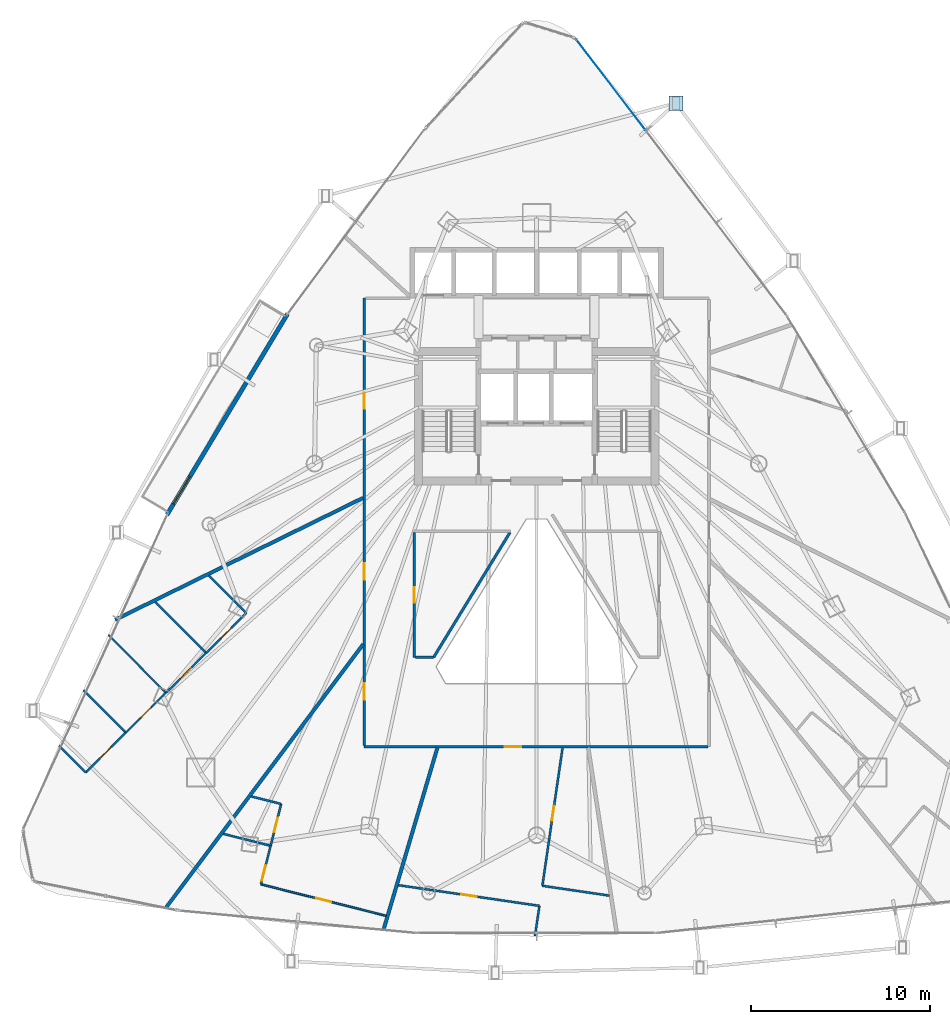
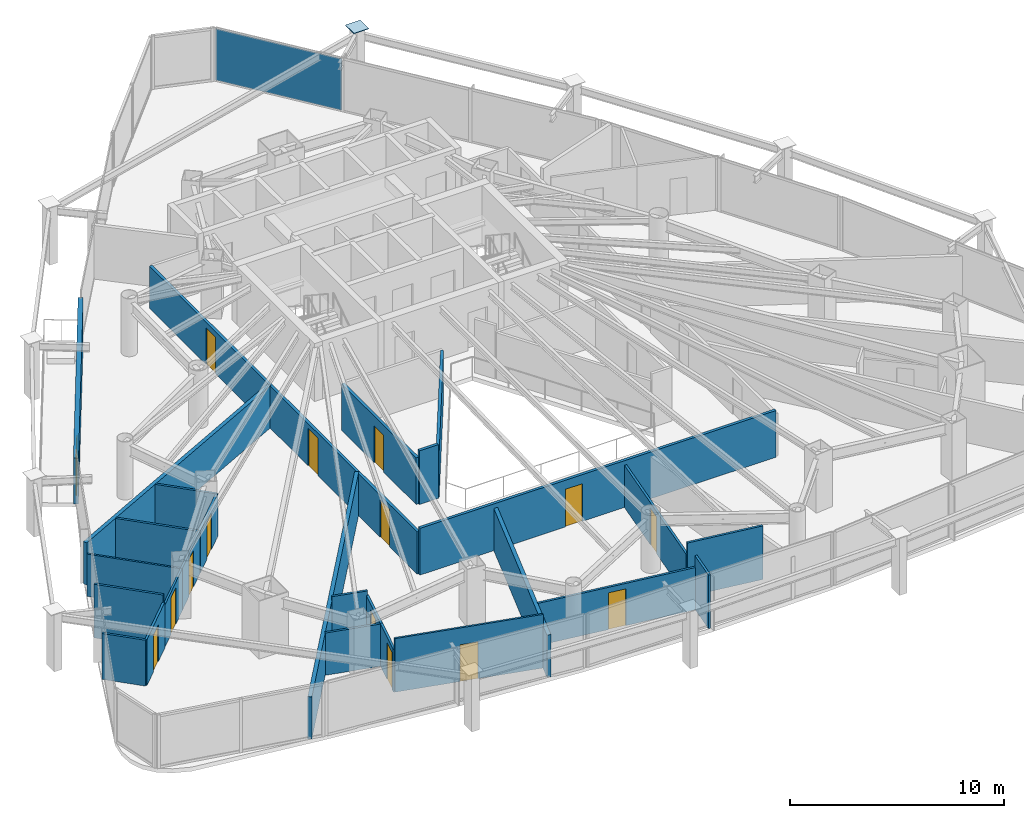
# One storey, part 29 of 35: 27 walls, 15 doors, 2 plates, 15 openings, 1 element without a shape of its own.
"""IFC4 building model written with IfcOpenShell, lengths in metres."""

from ifc_helpers import new_model, si_unit, direction, frame, frame_2d, origin, origin_2d, place, context, subcontext, project, spatial, rectangle, extrude, material, layer, layer_set, type_object, element, fill, aggregate, save


model = new_model("IFC4")

# Units and contexts
model_context = context("Model", 3, precision=1e-05, world=origin(), true_north=direction((0.0, 1.0)))
body_context = subcontext(model_context, "Body", "Model", "MODEL_VIEW")
ifc_project = project(units=[si_unit("LENGTHUNIT", "METRE"), si_unit("AREAUNIT", "SQUARE_METRE"), si_unit("VOLUMEUNIT", "CUBIC_METRE"), si_unit("PLANEANGLEUNIT", "RADIAN"), si_unit("MASSUNIT", "GRAM", prefix="KILO")], contexts=[model_context])

# Site, building, storey
site_placement = place(None, origin())
site = spatial("IfcSite", under=ifc_project, at=site_placement, CompositionType="ELEMENT")
building_placement = place(site_placement, origin())
building = spatial("IfcBuilding", under=site, at=building_placement, Name="Orvanel Arch Residences", CompositionType="ELEMENT")
storey_placement = place(building_placement, frame((0.0, 0.0, 40.10009765625)))
storey = spatial("IfcBuildingStorey", under=building, at=storey_placement, Name="L10", CompositionType="ELEMENT", Elevation=40.10009765625)

# Plate
ifc_material_1 = material(Name="Structural steel AS/NZS 3678 Grade 350", Category="steel")
ifc_layer_1 = layer(ifc_material_1, 0.031982421875)
ifc_layer_set_1 = layer_set([ifc_layer_1], Name="Structural steel AS/NZS 3678 Grade 350")
plate_type_1 = type_object("IfcPlateType", Name="PL-CAP-32", PredefinedType="SHEET", material=ifc_layer_set_1)
plate_1_placement = place(storey_placement, frame((40.794921875, 47.820068359375, 3.28369140625), z_axis=(0.0, 0.0, 1.0), x_axis=(1.0, 0.0, 0.0)))
element("IfcPlate", 1, at=plate_1_placement, inside=storey, type_object=plate_type_1, Name="L10 hollow member end cap plate", PredefinedType="SHEET", context=body_context, shape_type="SweptSolid", body=[
    extrude(rectangle(XDim=0.800048828125, YDim=0.800048828125, at=origin_2d()), origin(), (0.0, 0.0, 1.0), 0.031982421875),
])

# Curtain wall, plate
ifc_material_2 = material(Name="Bronze-anodised aluminium AA6063-T6", Category="aluminium")
ifc_layer_2 = layer(ifc_material_2, 0.179931640625)
ifc_layer_set_2 = layer_set([ifc_layer_2], Name="Bronze-anodised aluminium AA6063-T6")
curtain_wall_type = type_object("IfcCurtainWallType", Name="CW2-LOW-SYS", PredefinedType="NOTDEFINED", material=ifc_layer_set_2)
curtain_wall_placement = place(storey_placement, origin())
curtain_wall = element("IfcCurtainWall", 2, at=curtain_wall_placement, inside=storey, type_object=curtain_wall_type, Name="L10 CW2-LOW-SYS Unitised Curtain Wall", PredefinedType="NOTDEFINED")
ifc_material_3 = material(Name="Double-glazed solar-control low-E safety glass", Category="glass")
ifc_layer_3 = layer(ifc_material_3, 0.028076171875)
ifc_layer_set_3 = layer_set([ifc_layer_3], Name="Double-glazed solar-control low-E safety glass")
plate_type_2 = type_object("IfcPlateType", Name="PNL-GLZ-28", PredefinedType="CURTAIN_PANEL", material=ifc_layer_set_3)
plate_2_placement = place(storey_placement, frame((37.160400390625, 48.84765625, 0.059814453125), z_axis=(0.0, 0.0, 1.0), x_axis=(-0.606016898793, 0.795451769988, 0.0)))
plate_2 = element("IfcPlate", 3, at=plate_2_placement, type_object=plate_type_2, Name="CW-S2 panel 3.1", PredefinedType="CURTAIN_PANEL", context=body_context, shape_type="SweptSolid", body=[
    extrude(rectangle(XDim=6.3828125, YDim=0.028076171875, at=origin_2d()), origin(), (0.0, 0.0, 1.0), 2.93994140625),
])
aggregate(curtain_wall, [plate_2])

# Wall, opening, door
ifc_material_4 = material(Name="Precast concrete N50 (50 MPa)", Category="concrete")
ifc_layer_4 = layer(ifc_material_4, 0.239990234375)
ifc_layer_set_4 = layer_set([ifc_layer_4], Name="Precast concrete N50 (50 MPa)")
wall_type_1 = type_object("IfcWallType", Name="EW-BAL-240", PredefinedType="SOLIDWALL", material=ifc_layer_set_4)
wall_1_placement = place(storey_placement, frame((19.05908203125, 36.028076171875, 0.0), z_axis=(0.0, 0.0, 1.0), x_axis=(-0.514331531946, -0.857591438417, 0.0)))
wall_1 = element("IfcWall", 4, at=wall_1_placement, inside=storey, type_object=wall_type_1, Name="L10 Balcony Threshold Wall Face 1", PredefinedType="SOLIDWALL", context=body_context, shape_type="SweptSolid", body=[
    extrude(rectangle(XDim=13.1181640625, YDim=0.239990234375, at=frame_2d((6.55908203125, 0.0))), origin(), (0.0, 0.0, 1.0), 2.6240234375),
])
opening_1_placement = place(wall_1_placement, frame((10.6201171875, 0.0, 0.0)))
opening_1 = element("IfcOpeningElement", 5, at=opening_1_placement, cuts=wall_1, Name="Opening DB-180", PredefinedType="OPENING", context=body_context, shape_type="SweptSolid", body=[
    extrude(rectangle(XDim=1.800048828125, YDim=2.199951171875, at=frame_2d((0.89990234375, 1.10009765625))), frame((0.0, 0.1298828125, 0.0), z_axis=(0.0, -1.0, 0.0), x_axis=(1.0, 0.0, 0.0)), (0.0, 0.0, 1.0), 0.260009765625),
])
door_type_1 = type_object("IfcDoorType", Name="DR-BAL-1800", OperationType="NOTDEFINED", PredefinedType="DOOR", material=ifc_material_2)
door_1_placement = place(opening_1_placement, origin())
door_1 = element("IfcDoor", 6, at=door_1_placement, inside=storey, type_object=door_type_1, Name="DR-L10-BAL-F1 L10 Planted Balcony Access Door Face 1", OperationType="SINGLE_SWING_RIGHT", OverallHeight=2.199951171875, OverallWidth=1.800048828125, PredefinedType="DOOR", context=body_context, shape_type="SweptSolid", body=[
    extrude(rectangle(XDim=1.800048828125, YDim=2.199951171875, at=frame_2d((0.89990234375, 1.10009765625))), frame((0.0, 0.02490234375, 0.0), z_axis=(0.0, -1.0, 0.0), x_axis=(1.0, 0.0, 0.0)), (0.0, 0.0, 1.0), 0.050048828125),
])
fill(opening_1, door_1)

ifc_material_5 = material(Name="Fire-rated plasterboard lined steel stud partition", Category="steel")
ifc_layer_5 = layer(ifc_material_5, 0.14990234375)
ifc_layer_set_5 = layer_set([ifc_layer_5], Name="Fire-rated plasterboard lined steel stud partition")
wall_type_2 = type_object("IfcWallType", Name="W-COR-150", PredefinedType="PARTITIONING", material=ifc_layer_set_5)
wall_2_placement = place(storey_placement, frame((42.590087890625, 11.800048828125, 0.0), z_axis=(0.0, 0.0, 1.0), x_axis=(-1.0, 0.0, 0.0)))
wall_2 = element("IfcWall", 7, at=wall_2_placement, inside=storey, type_object=wall_type_2, Name="L10 Corridor Fire-Rated Partition", PredefinedType="PARTITIONING", context=body_context, shape_type="SweptSolid", body=[
    extrude(rectangle(XDim=19.239990234375, YDim=0.14990234375, at=frame_2d((9.6201171875, 0.0))), origin(), (0.0, 0.0, 1.0), 2.6689453125),
])
opening_2_placement = place(wall_2_placement, frame((10.4619140625, 0.0, 0.0)))
opening_2 = element("IfcOpeningElement", 8, at=opening_2_placement, cuts=wall_2, Name="Opening DA-092", PredefinedType="OPENING", context=body_context, shape_type="SweptSolid", body=[
    extrude(rectangle(XDim=0.919921875, YDim=2.14990234375, at=frame_2d((0.4599609375, 1.074951171875))), frame((0.0, 0.0849609375, 0.0), z_axis=(0.0, -1.0, 0.0), x_axis=(1.0, 0.0, 0.0)), (0.0, 0.0, 1.0), 0.169921875),
])
ifc_material_6 = material(Name="Solid-core European oak veneer fire door leaf", Category="wood")
door_type_2 = type_object("IfcDoorType", Name="DR-APT-920", OperationType="NOTDEFINED", PredefinedType="DOOR", material=ifc_material_6)
door_2_placement = place(opening_2_placement, origin())
door_2 = element("IfcDoor", 9, at=door_2_placement, inside=storey, type_object=door_type_2, Name="DR-L10-F-ENT L10 Studio F Entrance Door", OperationType="SINGLE_SWING_LEFT", OverallHeight=2.14990234375, OverallWidth=0.919921875, PredefinedType="DOOR", context=body_context, shape_type="SweptSolid", body=[
    extrude(rectangle(XDim=0.919921875, YDim=2.14990234375, at=frame_2d((0.4599609375, 1.074951171875))), frame((0.0, 0.02490234375, 0.0), z_axis=(0.0, -1.0, 0.0), x_axis=(1.0, 0.0, 0.0)), (0.0, 0.0, 1.0), 0.050048828125),
])
fill(opening_2, door_2)

# Wall, openings, doors
wall_3_placement = place(storey_placement, frame((23.35009765625, 11.860107421875, 0.0), z_axis=(0.0, 0.0, 1.0), x_axis=(0.0, 1.0, 0.0)))
wall_3 = element("IfcWall", 10, at=wall_3_placement, inside=storey, type_object=wall_type_2, Name="L10 Corridor Fire-Rated Partition", PredefinedType="PARTITIONING", context=body_context, shape_type="SweptSolid", body=[
    extrude(rectangle(XDim=25.039794921875, YDim=0.14990234375, at=frame_2d((12.52001953125, 0.0))), origin(), (0.0, 0.0, 1.0), 2.412841796875),
])
opening_3_placement = place(wall_3_placement, frame((9.2900390625, 0.0, 0.0)))
opening_3 = element("IfcOpeningElement", 11, at=opening_3_placement, cuts=wall_3, Name="Opening DA-092", PredefinedType="OPENING", context=body_context, shape_type="SweptSolid", body=[
    extrude(rectangle(XDim=0.919921875, YDim=2.14990234375, at=frame_2d((0.4599609375, 1.074951171875))), frame((0.0, 0.0849609375, 0.0), z_axis=(0.0, -1.0, 0.0), x_axis=(1.0, 0.0, 0.0)), (0.0, 0.0, 1.0), 0.169921875),
])
opening_4_placement = place(wall_3_placement, frame((18.864990234375, 0.0, 0.0)))
opening_4 = element("IfcOpeningElement", 12, at=opening_4_placement, cuts=wall_3, Name="Opening DI-088", PredefinedType="OPENING", context=body_context, shape_type="SweptSolid", body=[
    extrude(rectangle(XDim=0.8798828125, YDim=2.10009765625, at=frame_2d((0.43994140625, 1.050048828125))), frame((0.0, 0.0849609375, 0.0), z_axis=(0.0, -1.0, 0.0), x_axis=(1.0, 0.0, 0.0)), (0.0, 0.0, 1.0), 0.169921875),
])
opening_5_placement = place(wall_3_placement, frame((2.56591796875, 0.0, 0.0)))
opening_5 = element("IfcOpeningElement", 13, at=opening_5_placement, cuts=wall_3, Name="Opening DA-092", PredefinedType="OPENING", context=body_context, shape_type="SweptSolid", body=[
    extrude(rectangle(XDim=0.919921875, YDim=2.14990234375, at=frame_2d((0.4599609375, 1.074951171875))), frame((0.0, 0.0849609375, 0.0), z_axis=(0.0, -1.0, 0.0), x_axis=(1.0, 0.0, 0.0)), (0.0, 0.0, 1.0), 0.169921875),
])
door_3_placement = place(opening_3_placement, origin())
door_3 = element("IfcDoor", 14, at=door_3_placement, inside=storey, type_object=door_type_2, Name="DR-L10-A-ENT L10 Flat A Entrance Door", OperationType="SINGLE_SWING_RIGHT", OverallHeight=2.14990234375, OverallWidth=0.919921875, PredefinedType="DOOR", context=body_context, shape_type="SweptSolid", body=[
    extrude(rectangle(XDim=0.919921875, YDim=2.14990234375, at=frame_2d((0.4599609375, 1.074951171875))), frame((0.0, 0.02490234375, 0.0), z_axis=(0.0, -1.0, 0.0), x_axis=(1.0, 0.0, 0.0)), (0.0, 0.0, 1.0), 0.050048828125),
])
fill(opening_3, door_3)
door_4_placement = place(opening_5_placement, origin())
door_4 = element("IfcDoor", 15, at=door_4_placement, inside=storey, type_object=door_type_2, Name="DR-L10-E-ENT L10 Flat E Entrance Door", OperationType="SINGLE_SWING_RIGHT", OverallHeight=2.14990234375, OverallWidth=0.919921875, PredefinedType="DOOR", context=body_context, shape_type="SweptSolid", body=[
    extrude(rectangle(XDim=0.919921875, YDim=2.14990234375, at=frame_2d((0.4599609375, 1.074951171875))), frame((0.0, 0.02490234375, 0.0), z_axis=(0.0, -1.0, 0.0), x_axis=(1.0, 0.0, 0.0)), (0.0, 0.0, 1.0), 0.050048828125),
])
fill(opening_5, door_4)
door_type_3 = type_object("IfcDoorType", Name="DR-INT-880", OperationType="NOTDEFINED", PredefinedType="DOOR", material=ifc_material_6)
door_5_placement = place(opening_4_placement, origin())
door_5 = element("IfcDoor", 16, at=door_5_placement, inside=storey, type_object=door_type_3, Name="DR-L10-SHRD-FB4 L10 Co-Working Study Office D Door", OperationType="SINGLE_SWING_LEFT", OverallHeight=2.10009765625, OverallWidth=0.8798828125, PredefinedType="DOOR", context=body_context, shape_type="SweptSolid", body=[
    extrude(rectangle(XDim=0.8798828125, YDim=2.10009765625, at=frame_2d((0.43994140625, 1.050048828125))), frame((0.0, 0.02490234375, 0.0), z_axis=(0.0, -1.0, 0.0), x_axis=(1.0, 0.0, 0.0)), (0.0, 0.0, 1.0), 0.050048828125),
])
fill(opening_4, door_5)

# Wall, opening, door
wall_4_placement = place(storey_placement, frame((26.14990234375, 23.7900390625, 0.0), z_axis=(0.0, 0.0, 1.0), x_axis=(0.0, -1.0, 0.0)))
wall_4 = element("IfcWall", 17, at=wall_4_placement, inside=storey, type_object=wall_type_2, Name="L10 Corridor Fire-Rated Partition", PredefinedType="PARTITIONING", context=body_context, shape_type="SweptSolid", body=[
    extrude(rectangle(XDim=6.989990234375, YDim=0.14990234375, at=frame_2d((3.4951171875, 0.0))), origin(), (0.0, 0.0, 1.0), 2.6689453125),
])
opening_6_placement = place(wall_4_placement, frame((3.054931640625, 0.0, 0.0)))
opening_6 = element("IfcOpeningElement", 18, at=opening_6_placement, cuts=wall_4, Name="Opening DI-088", PredefinedType="OPENING", context=body_context, shape_type="SweptSolid", body=[
    extrude(rectangle(XDim=0.8798828125, YDim=2.10009765625, at=frame_2d((0.43994140625, 1.050048828125))), frame((0.0, 0.0849609375, 0.0), z_axis=(0.0, -1.0, 0.0), x_axis=(1.0, 0.0, 0.0)), (0.0, 0.0, 1.0), 0.169921875),
])
door_6_placement = place(opening_6_placement, origin())
door_6 = element("IfcDoor", 19, at=door_6_placement, inside=storey, type_object=door_type_3, Name="DR-L10-SHRD-FB10 L10 Co-Working Study Office J Door", OperationType="SINGLE_SWING_LEFT", OverallHeight=2.10009765625, OverallWidth=0.8798828125, PredefinedType="DOOR", context=body_context, shape_type="SweptSolid", body=[
    extrude(rectangle(XDim=0.8798828125, YDim=2.10009765625, at=frame_2d((0.43994140625, 1.050048828125))), frame((0.0, 0.02490234375, 0.0), z_axis=(0.0, -1.0, 0.0), x_axis=(1.0, 0.0, 0.0)), (0.0, 0.0, 1.0), 0.050048828125),
])
fill(opening_6, door_6)

# Walls
wall_5_placement = place(storey_placement, frame((26.2099609375, 16.800048828125, 0.0), z_axis=(0.0, 0.0, 1.0), x_axis=(1.0, 0.0, 0.0)))
element("IfcWall", 20, at=wall_5_placement, inside=storey, type_object=wall_type_2, Name="L10 Corridor Fire-Rated Partition", PredefinedType="PARTITIONING", context=body_context, shape_type="SweptSolid", body=[
    extrude(rectangle(XDim=1.026123046875, YDim=0.14990234375, at=frame_2d((0.51318359375, 0.0))), origin(), (0.0, 0.0, 1.0), 3.059814453125),
])
wall_6_placement = place(storey_placement, frame((27.236083984375, 16.801025390625, 0.0), z_axis=(0.0, 0.0, 1.0), x_axis=(0.521617567684, 0.853179414358, 0.0)))
element("IfcWall", 21, at=wall_6_placement, inside=storey, type_object=wall_type_2, Name="L10 Atrium Overlook Glazed Partition", PredefinedType="PARTITIONING", context=body_context, shape_type="SweptSolid", body=[
    extrude(rectangle(XDim=8.191650390625, YDim=0.14990234375, at=frame_2d((4.095703125, 0.0))), origin(), (0.0, 0.0, 1.0), 2.6689453125),
])
ifc_layer_6 = layer(ifc_material_5, 0.199951171875)
ifc_layer_set_6 = layer_set([ifc_layer_6], Name="Fire-rated plasterboard lined steel stud partition")
wall_type_3 = type_object("IfcWallType", Name="W-DEM-200", PredefinedType="PARTITIONING", material=ifc_layer_set_6)
wall_7_placement = place(storey_placement, frame((9.409912109375, 18.90087890625, 0.0), z_axis=(0.0, 0.0, 1.0), x_axis=(0.89737804177, 0.44126256373, 0.0)))
element("IfcWall", 22, at=wall_7_placement, inside=storey, type_object=wall_type_3, Name="L10 Inter-Tenancy Acoustic Demising Wall", PredefinedType="PARTITIONING", context=body_context, shape_type="SweptSolid", body=[
    extrude(rectangle(XDim=15.467529296875, YDim=0.199951171875, at=frame_2d((7.73388671875, 0.0))), origin(), (0.0, 0.0, 1.0), 2.412841796875),
])
wall_8_placement = place(storey_placement, frame((23.2900390625, 17.531005859375, 0.0), z_axis=(0.0, 0.0, 1.0), x_axis=(-0.599334217596, -0.800498904196, 0.0)))
element("IfcWall", 23, at=wall_8_placement, inside=storey, type_object=wall_type_3, Name="L10 Inter-Tenancy Acoustic Demising Wall", PredefinedType="PARTITIONING", context=body_context, shape_type="SweptSolid", body=[
    extrude(rectangle(XDim=18.4873046875, YDim=0.199951171875, at=frame_2d((9.24365234375, 0.0))), origin(), (0.0, 0.0, 1.0), 2.412841796875),
])
wall_9_placement = place(storey_placement, frame((27.447021484375, 11.739990234375, 0.0), z_axis=(0.0, 0.0, 1.0), x_axis=(-0.283867721737, -0.958863450422, 0.0)))
element("IfcWall", 24, at=wall_9_placement, inside=storey, type_object=wall_type_3, Name="L10 Inter-Tenancy Acoustic Demising Wall", PredefinedType="PARTITIONING", context=body_context, shape_type="SweptSolid", body=[
    extrude(rectangle(XDim=10.663818359375, YDim=0.199951171875, at=frame_2d((5.33203125, 0.0))), origin(), (0.0, 0.0, 1.0), 2.412841796875),
])

# Wall, opening, door
ifc_material_7 = material(Name="Acoustic plasterboard lined twin-stud partition", Category="gypsum")
ifc_layer_7 = layer(ifc_material_7, 0.10009765625)
ifc_layer_set_7 = layer_set([ifc_layer_7], Name="Acoustic plasterboard lined twin-stud partition")
wall_type_4 = type_object("IfcWallType", Name="W-INT-100", PredefinedType="PARTITIONING", material=ifc_layer_set_7)
wall_10_placement = place(storey_placement, frame((10.0009765625, 12.5810546875, 0.0), z_axis=(0.0, 0.0, 1.0), x_axis=(0.70979961262, 0.70440365553, 0.0)))
wall_10 = element("IfcWall", 25, at=wall_10_placement, inside=storey, type_object=wall_type_4, Name="L10 Flat A Internal Partition", PredefinedType="PARTITIONING", context=body_context, shape_type="SweptSolid", body=[
    extrude(rectangle(XDim=3.167236328125, YDim=0.10009765625, at=frame_2d((1.58349609375, 0.0))), origin(), (0.0, 0.0, 1.0), 2.412841796875),
])
opening_7_placement = place(wall_10_placement, frame((1.14404296875, 0.0, 0.0)))
opening_7 = element("IfcOpeningElement", 26, at=opening_7_placement, cuts=wall_10, Name="Opening DI-088", PredefinedType="OPENING", context=body_context, shape_type="SweptSolid", body=[
    extrude(rectangle(XDim=0.8798828125, YDim=2.10009765625, at=frame_2d((0.43994140625, 1.050048828125))), frame((0.0, 0.06005859375, 0.0), z_axis=(0.0, -1.0, 0.0), x_axis=(1.0, 0.0, 0.0)), (0.0, 0.0, 1.0), 0.1201171875),
])
door_7_placement = place(opening_7_placement, origin())
door_7 = element("IfcDoor", 27, at=door_7_placement, inside=storey, type_object=door_type_3, Name="DR-L10-A-BED1 L10 Flat A Bedroom 1 Door", OperationType="SINGLE_SWING_LEFT", OverallHeight=2.10009765625, OverallWidth=0.8798828125, PredefinedType="DOOR", context=body_context, shape_type="SweptSolid", body=[
    extrude(rectangle(XDim=0.8798828125, YDim=2.10009765625, at=frame_2d((0.43994140625, 1.050048828125))), frame((0.0, 0.02490234375, 0.0), z_axis=(0.0, -1.0, 0.0), x_axis=(1.0, 0.0, 0.0)), (0.0, 0.0, 1.0), 0.050048828125),
])
fill(opening_7, door_7)

wall_11_placement = place(storey_placement, frame((12.2490234375, 14.81201171875, 0.0), z_axis=(0.0, 0.0, 1.0), x_axis=(0.70979961262, 0.70440365553, 0.0)))
wall_11 = element("IfcWall", 28, at=wall_11_placement, inside=storey, type_object=wall_type_4, Name="L10 Flat A Internal Partition", PredefinedType="PARTITIONING", context=body_context, shape_type="SweptSolid", body=[
    extrude(rectangle(XDim=3.167236328125, YDim=0.10009765625, at=frame_2d((1.58349609375, 0.0))), origin(), (0.0, 0.0, 1.0), 2.412841796875),
])
opening_8_placement = place(wall_11_placement, frame((1.14404296875, 0.0, 0.0)))
opening_8 = element("IfcOpeningElement", 29, at=opening_8_placement, cuts=wall_11, Name="Opening DI-088", PredefinedType="OPENING", context=body_context, shape_type="SweptSolid", body=[
    extrude(rectangle(XDim=0.8798828125, YDim=2.10009765625, at=frame_2d((0.43994140625, 1.050048828125))), frame((0.0, 0.06005859375, 0.0), z_axis=(0.0, -1.0, 0.0), x_axis=(1.0, 0.0, 0.0)), (0.0, 0.0, 1.0), 0.1201171875),
])
door_8_placement = place(opening_8_placement, origin())
door_8 = element("IfcDoor", 30, at=door_8_placement, inside=storey, type_object=door_type_3, Name="DR-L10-A-OFC2 L10 Flat A Home Work Office 1 Door", OperationType="SINGLE_SWING_LEFT", OverallHeight=2.10009765625, OverallWidth=0.8798828125, PredefinedType="DOOR", context=body_context, shape_type="SweptSolid", body=[
    extrude(rectangle(XDim=0.8798828125, YDim=2.10009765625, at=frame_2d((0.43994140625, 1.050048828125))), frame((0.0, 0.02490234375, 0.0), z_axis=(0.0, -1.0, 0.0), x_axis=(1.0, 0.0, 0.0)), (0.0, 0.0, 1.0), 0.050048828125),
])
fill(opening_8, door_8)

# Wall
wall_12_placement = place(storey_placement, frame((9.032958984375, 18.052978515625, 0.0), z_axis=(0.0, 0.0, 1.0), x_axis=(0.704374497722, -0.709828547579, 0.0)))
element("IfcWall", 31, at=wall_12_placement, inside=storey, type_object=wall_type_4, Name="L10 Flat A Internal Partition", PredefinedType="PARTITIONING", context=body_context, shape_type="SweptSolid", body=[
    extrude(rectangle(XDim=4.56591796875, YDim=0.10009765625, at=frame_2d((2.282958984375, 0.0))), origin(), (0.0, 0.0, 1.0), 2.412841796875),
])

# Wall, opening, door
wall_13_placement = place(storey_placement, frame((24.573974609375, 2.333984375, 0.0), z_axis=(0.0, 0.0, 1.0), x_axis=(-0.9698235368, 0.243807931512, 0.0)))
wall_13 = element("IfcWall", 32, at=wall_13_placement, inside=storey, type_object=wall_type_4, Name="L10 Flat E Internal Partition", PredefinedType="PARTITIONING", context=body_context, shape_type="SweptSolid", body=[
    extrude(rectangle(XDim=7.222900390625, YDim=0.10009765625, at=frame_2d((3.611328125, 0.0))), origin(), (0.0, 0.0, 1.0), 3.059814453125),
])
opening_9_placement = place(wall_13_placement, frame((3.1708984375, 0.0, 0.0)))
opening_9 = element("IfcOpeningElement", 33, at=opening_9_placement, cuts=wall_13, Name="Opening DI-088", PredefinedType="OPENING", context=body_context, shape_type="SweptSolid", body=[
    extrude(rectangle(XDim=0.8798828125, YDim=2.10009765625, at=frame_2d((0.43994140625, 1.050048828125))), frame((0.0, 0.06005859375, 0.0), z_axis=(0.0, -1.0, 0.0), x_axis=(1.0, 0.0, 0.0)), (0.0, 0.0, 1.0), 0.1201171875),
])
door_9_placement = place(opening_9_placement, origin())
door_9 = element("IfcDoor", 34, at=door_9_placement, inside=storey, type_object=door_type_3, Name="DR-L10-E-BED1 L10 Flat E Bedroom 1 Door", OperationType="SINGLE_SWING_LEFT", OverallHeight=2.10009765625, OverallWidth=0.8798828125, PredefinedType="DOOR", context=body_context, shape_type="SweptSolid", body=[
    extrude(rectangle(XDim=0.8798828125, YDim=2.10009765625, at=frame_2d((0.43994140625, 1.050048828125))), frame((0.0, 0.02490234375, 0.0), z_axis=(0.0, -1.0, 0.0), x_axis=(1.0, 0.0, 0.0)), (0.0, 0.0, 1.0), 0.050048828125),
])
fill(opening_9, door_9)

ifc_layer_8 = layer(ifc_material_7, 0.1201171875)
ifc_layer_set_8 = layer_set([ifc_layer_8], Name="Acoustic plasterboard lined twin-stud partition")
wall_type_5 = type_object("IfcWallType", Name="W-WET-120", PredefinedType="PARTITIONING", material=ifc_layer_set_8)
wall_14_placement = place(storey_placement, frame((14.4970703125, 17.04296875, 0.0), z_axis=(0.0, 0.0, 1.0), x_axis=(0.709608291954, 0.704596389425, 0.0)))
wall_14 = element("IfcWall", 35, at=wall_14_placement, inside=storey, type_object=wall_type_5, Name="L10 Flat A Bathroom Partition", PredefinedType="PARTITIONING", context=body_context, shape_type="SweptSolid", body=[
    extrude(rectangle(XDim=3.166259765625, YDim=0.1201171875, at=frame_2d((1.5830078125, 0.0))), origin(), (0.0, 0.0, 1.0), 2.412841796875),
])
opening_10_placement = place(wall_14_placement, frame((1.173095703125, 0.0, 0.0)))
opening_10 = element("IfcOpeningElement", 36, at=opening_10_placement, cuts=wall_14, Name="Opening DW-082", PredefinedType="OPENING", context=body_context, shape_type="SweptSolid", body=[
    extrude(rectangle(XDim=0.820068359375, YDim=2.10009765625, at=frame_2d((0.41015625, 1.050048828125))), frame((0.0, 0.070068359375, 0.0), z_axis=(0.0, -1.0, 0.0), x_axis=(1.0, 0.0, 0.0)), (0.0, 0.0, 1.0), 0.14013671875),
])
door_type_4 = type_object("IfcDoorType", Name="DR-WET-820", OperationType="NOTDEFINED", PredefinedType="DOOR", material=ifc_material_6)
door_10_placement = place(opening_10_placement, origin())
door_10 = element("IfcDoor", 37, at=door_10_placement, inside=storey, type_object=door_type_4, Name="DR-L10-A-BATH L10 Flat A Bathroom Door", OperationType="SINGLE_SWING_RIGHT", OverallHeight=2.10009765625, OverallWidth=0.820068359375, PredefinedType="DOOR", context=body_context, shape_type="SweptSolid", body=[
    extrude(rectangle(XDim=0.820068359375, YDim=2.10009765625, at=frame_2d((0.41015625, 1.050048828125))), frame((0.0, 0.02490234375, 0.0), z_axis=(0.0, -1.0, 0.0), x_axis=(1.0, 0.0, 0.0)), (0.0, 0.0, 1.0), 0.050048828125),
])
fill(opening_10, door_10)

# Walls
wall_15_placement = place(storey_placement, frame((16.743896484375, 19.27392578125, 0.0), z_axis=(0.0, 0.0, 1.0), x_axis=(-0.704390177625, 0.709812987811, 0.0)))
element("IfcWall", 38, at=wall_15_placement, inside=storey, type_object=wall_type_5, Name="L10 Flat A Bathroom Partition", PredefinedType="PARTITIONING", context=body_context, shape_type="SweptSolid", body=[
    extrude(rectangle(XDim=2.971435546875, YDim=0.1201171875, at=frame_2d((1.48583984375, 0.0))), origin(), (0.0, 0.0, 1.0), 2.412841796875),
])
wall_16_placement = place(storey_placement, frame((6.264892578125, 11.84912109375, 0.0), z_axis=(0.0, 0.0, 1.0), x_axis=(0.7047325022, -0.709473114602, 0.0)))
element("IfcWall", 39, at=wall_16_placement, inside=storey, type_object=wall_type_5, Name="L10 Flat A Internal Partition", PredefinedType="PARTITIONING", context=body_context, shape_type="SweptSolid", body=[
    extrude(rectangle(XDim=2.111572265625, YDim=0.1201171875, at=frame_2d((1.0556640625, 0.0))), origin(), (0.0, 0.0, 1.0), 2.618896484375),
])

# Wall, opening, door
wall_17_placement = place(storey_placement, frame((7.7529296875, 10.35107421875, 0.0), z_axis=(0.0, 0.0, 1.0), x_axis=(0.709953794815, 0.704248258236, 0.0)))
wall_17 = element("IfcWall", 40, at=wall_17_placement, inside=storey, type_object=wall_type_5, Name="L10 Flat A Internal Partition", PredefinedType="PARTITIONING", context=body_context, shape_type="SweptSolid", body=[
    extrude(rectangle(XDim=3.16650390625, YDim=0.1201171875, at=frame_2d((1.583251953125, 0.0))), origin(), (0.0, 0.0, 1.0), 2.618896484375),
])
opening_11_placement = place(wall_17_placement, frame((1.14306640625, 0.0, 0.0)))
opening_11 = element("IfcOpeningElement", 41, at=opening_11_placement, cuts=wall_17, Name="Opening DI-088", PredefinedType="OPENING", context=body_context, shape_type="SweptSolid", body=[
    extrude(rectangle(XDim=0.8798828125, YDim=2.10009765625, at=frame_2d((0.43994140625, 1.050048828125))), frame((0.0, 0.070068359375, 0.0), z_axis=(0.0, -1.0, 0.0), x_axis=(1.0, 0.0, 0.0)), (0.0, 0.0, 1.0), 0.14013671875),
])
door_11_placement = place(opening_11_placement, origin())
door_11 = element("IfcDoor", 42, at=door_11_placement, inside=storey, type_object=door_type_3, Name="DR-L10-A-KIT L10 Flat A Kitchen Door", OperationType="SINGLE_SWING_LEFT", OverallHeight=2.10009765625, OverallWidth=0.8798828125, PredefinedType="DOOR", context=body_context, shape_type="SweptSolid", body=[
    extrude(rectangle(XDim=0.8798828125, YDim=2.10009765625, at=frame_2d((0.43994140625, 1.050048828125))), frame((0.0, 0.02490234375, 0.0), z_axis=(0.0, -1.0, 0.0), x_axis=(1.0, 0.0, 0.0)), (0.0, 0.0, 1.0), 0.050048828125),
])
fill(opening_11, door_11)

# Walls
wall_18_placement = place(storey_placement, frame((14.4970703125, 17.04296875, 0.0), z_axis=(0.0, 0.0, 1.0), x_axis=(-0.704380529073, 0.70982256252, 0.0)))
element("IfcWall", 43, at=wall_18_placement, inside=storey, type_object=wall_type_5, Name="L10 Flat A Bathroom Partition", PredefinedType="PARTITIONING", context=body_context, shape_type="SweptSolid", body=[
    extrude(rectangle(XDim=4.03759765625, YDim=0.1201171875, at=frame_2d((2.018798828125, 0.0))), origin(), (0.0, 0.0, 1.0), 2.412841796875),
])
wall_19_placement = place(storey_placement, frame((7.637939453125, 14.9619140625, 0.0), z_axis=(0.0, 0.0, 1.0), x_axis=(0.704445292194, -0.709758290058, 0.0)))
element("IfcWall", 44, at=wall_19_placement, inside=storey, type_object=wall_type_5, Name="L10 Flat A Internal Partition", PredefinedType="PARTITIONING", context=body_context, shape_type="SweptSolid", body=[
    extrude(rectangle(XDim=3.3544921875, YDim=0.1201171875, at=frame_2d((1.67724609375, 0.0))), origin(), (0.0, 0.0, 1.0), 3.059814453125),
])

# Wall, opening, door
wall_20_placement = place(storey_placement, frame((18.112060546875, 6.2529296875, 0.0), z_axis=(0.0, 0.0, 1.0), x_axis=(0.2437501366, 0.96983806427, 0.0)))
wall_20 = element("IfcWall", 45, at=wall_20_placement, inside=storey, type_object=wall_type_5, Name="L10 Flat E Bathroom Partition", PredefinedType="PARTITIONING", context=body_context, shape_type="SweptSolid", body=[
    extrude(rectangle(XDim=2.411865234375, YDim=0.1201171875, at=frame_2d((1.2060546875, 0.0))), origin(), (0.0, 0.0, 1.0), 2.412841796875),
])
opening_12_placement = place(wall_20_placement, frame((0.7958984375, 0.0, 0.0)))
opening_12 = element("IfcOpeningElement", 46, at=opening_12_placement, cuts=wall_20, Name="Opening DW-082", PredefinedType="OPENING", context=body_context, shape_type="SweptSolid", body=[
    extrude(rectangle(XDim=0.820068359375, YDim=2.10009765625, at=frame_2d((0.41015625, 1.050048828125))), frame((0.0, 0.070068359375, 0.0), z_axis=(0.0, -1.0, 0.0), x_axis=(1.0, 0.0, 0.0)), (0.0, 0.0, 1.0), 0.14013671875),
])
door_12_placement = place(opening_12_placement, origin())
door_12 = element("IfcDoor", 47, at=door_12_placement, inside=storey, type_object=door_type_4, Name="DR-L10-E-BATH L10 Flat E Bathroom Door", OperationType="SINGLE_SWING_RIGHT", OverallHeight=2.10009765625, OverallWidth=0.820068359375, PredefinedType="DOOR", context=body_context, shape_type="SweptSolid", body=[
    extrude(rectangle(XDim=0.820068359375, YDim=2.10009765625, at=frame_2d((0.41015625, 1.050048828125))), frame((0.0, 0.02490234375, 0.0), z_axis=(0.0, -1.0, 0.0), x_axis=(1.0, 0.0, 0.0)), (0.0, 0.0, 1.0), 0.050048828125),
])
fill(opening_12, door_12)

# Wall
wall_21_placement = place(storey_placement, frame((18.699951171875, 8.592041015625, 0.0), z_axis=(0.0, 0.0, 1.0), x_axis=(-0.969751613308, 0.244093851802, 0.0)))
element("IfcWall", 48, at=wall_21_placement, inside=storey, type_object=wall_type_5, Name="L10 Flat E Bathroom Partition", PredefinedType="PARTITIONING", context=body_context, shape_type="SweptSolid", body=[
    extrude(rectangle(XDim=1.732421875, YDim=0.1201171875, at=frame_2d((0.8662109375, 0.0))), origin(), (0.0, 0.0, 1.0), 2.6689453125),
])

# Wall, opening, door
wall_22_placement = place(storey_placement, frame((17.569091796875, 4.094970703125, 0.0), z_axis=(0.0, 0.0, 1.0), x_axis=(0.244006821807, 0.969773515266, 0.0)))
wall_22 = element("IfcWall", 49, at=wall_22_placement, inside=storey, type_object=wall_type_5, Name="L10 Flat E Internal Partition", PredefinedType="PARTITIONING", context=body_context, shape_type="SweptSolid", body=[
    extrude(rectangle(XDim=2.22509765625, YDim=0.1201171875, at=frame_2d((1.112548828125, 0.0))), origin(), (0.0, 0.0, 1.0), 2.412841796875),
])
opening_13_placement = place(wall_22_placement, frame((0.199951171875, 0.0, 0.0)))
opening_13 = element("IfcOpeningElement", 50, at=opening_13_placement, cuts=wall_22, Name="Opening DI-088", PredefinedType="OPENING", context=body_context, shape_type="SweptSolid", body=[
    extrude(rectangle(XDim=0.8798828125, YDim=2.10009765625, at=frame_2d((0.43994140625, 1.050048828125))), frame((0.0, 0.070068359375, 0.0), z_axis=(0.0, -1.0, 0.0), x_axis=(1.0, 0.0, 0.0)), (0.0, 0.0, 1.0), 0.14013671875),
])
door_13_placement = place(opening_13_placement, origin())
door_13 = element("IfcDoor", 51, at=door_13_placement, inside=storey, type_object=door_type_3, Name="DR-L10-E-KIT L10 Flat E Kitchen Door", OperationType="SINGLE_SWING_LEFT", OverallHeight=2.10009765625, OverallWidth=0.8798828125, PredefinedType="DOOR", context=body_context, shape_type="SweptSolid", body=[
    extrude(rectangle(XDim=0.8798828125, YDim=2.10009765625, at=frame_2d((0.43994140625, 1.050048828125))), frame((0.0, 0.02490234375, 0.0), z_axis=(0.0, -1.0, 0.0), x_axis=(1.0, 0.0, 0.0)), (0.0, 0.0, 1.0), 0.050048828125),
])
fill(opening_13, door_13)

# Wall
wall_23_placement = place(storey_placement, frame((18.112060546875, 6.2529296875, 0.0), z_axis=(0.0, 0.0, 1.0), x_axis=(-0.969869517874, 0.243624954178, 0.0)))
element("IfcWall", 52, at=wall_23_placement, inside=storey, type_object=wall_type_5, Name="L10 Flat E Bathroom Partition", PredefinedType="PARTITIONING", context=body_context, shape_type="SweptSolid", body=[
    extrude(rectangle(XDim=2.74169921875, YDim=0.1201171875, at=frame_2d((1.370849609375, 0.0))), origin(), (0.0, 0.0, 1.0), 2.412841796875),
])

# Wall, opening, door
wall_24_placement = place(storey_placement, frame((34.452880859375, 11.739990234375, 0.0), z_axis=(0.0, 0.0, 1.0), x_axis=(-0.14489470787, -0.989447079753, 0.0)))
wall_24 = element("IfcWall", 53, at=wall_24_placement, inside=storey, type_object=wall_type_5, Name="L10 Studio F Bathroom Partition", PredefinedType="PARTITIONING", context=body_context, shape_type="SweptSolid", body=[
    extrude(rectangle(XDim=7.8115234375, YDim=0.1201171875, at=frame_2d((3.90576171875, 0.0))), origin(), (0.0, 0.0, 1.0), 2.412841796875),
])
opening_14_placement = place(wall_24_placement, frame((3.297119140625, 0.0, 0.0)))
opening_14 = element("IfcOpeningElement", 54, at=opening_14_placement, cuts=wall_24, Name="Opening DW-082", PredefinedType="OPENING", context=body_context, shape_type="SweptSolid", body=[
    extrude(rectangle(XDim=0.820068359375, YDim=2.10009765625, at=frame_2d((0.41015625, 1.050048828125))), frame((0.0, 0.070068359375, 0.0), z_axis=(0.0, -1.0, 0.0), x_axis=(1.0, 0.0, 0.0)), (0.0, 0.0, 1.0), 0.14013671875),
])
door_14_placement = place(opening_14_placement, origin())
door_14 = element("IfcDoor", 55, at=door_14_placement, inside=storey, type_object=door_type_4, Name="DR-L10-F-BATH L10 Studio F Bathroom Door", OperationType="SINGLE_SWING_RIGHT", OverallHeight=2.10009765625, OverallWidth=0.820068359375, PredefinedType="DOOR", context=body_context, shape_type="SweptSolid", body=[
    extrude(rectangle(XDim=0.820068359375, YDim=2.10009765625, at=frame_2d((0.41015625, 1.050048828125))), frame((0.0, 0.02490234375, 0.0), z_axis=(0.0, -1.0, 0.0), x_axis=(1.0, 0.0, 0.0)), (0.0, 0.0, 1.0), 0.050048828125),
])
fill(opening_14, door_14)

# Walls
wall_25_placement = place(storey_placement, frame((33.321044921875, 4.010986328125, 0.0), z_axis=(0.0, 0.0, 1.0), x_axis=(0.98942932615, -0.145015890698, 0.0)))
element("IfcWall", 56, at=wall_25_placement, inside=storey, type_object=wall_type_5, Name="L10 Studio F Bathroom Partition", PredefinedType="PARTITIONING", context=body_context, shape_type="SweptSolid", body=[
    extrude(rectangle(XDim=3.79296875, YDim=0.1201171875, at=frame_2d((1.896484375, 0.0))), origin(), (0.0, 0.0, 1.0), 3.059814453125),
])
wall_26_placement = place(storey_placement, frame((32.907958984375, 1.196044921875, 0.0), z_axis=(0.0, 0.0, 1.0), x_axis=(0.144976360118, 0.98943511915, 0.0)))
element("IfcWall", 57, at=wall_26_placement, inside=storey, type_object=wall_type_5, Name="L10 Studio F Internal Partition", PredefinedType="PARTITIONING", context=body_context, shape_type="SweptSolid", body=[
    extrude(rectangle(XDim=1.7109375, YDim=0.1201171875, at=frame_2d((0.85546875, 0.0))), origin(), (0.0, 0.0, 1.0), 3.059814453125),
])

# Wall, opening, door
wall_27_placement = place(storey_placement, frame((33.156005859375, 2.888916015625, 0.0), z_axis=(0.0, 0.0, 1.0), x_axis=(-0.98943978436, 0.144944517406, 0.0)))
wall_27 = element("IfcWall", 58, at=wall_27_placement, inside=storey, type_object=wall_type_5, Name="L10 Studio F Internal Partition", PredefinedType="PARTITIONING", context=body_context, shape_type="SweptSolid", body=[
    extrude(rectangle(XDim=7.982177734375, YDim=0.1201171875, at=frame_2d((3.9912109375, 0.0))), origin(), (0.0, 0.0, 1.0), 2.412841796875),
])
opening_15_placement = place(wall_27_placement, frame((3.551025390625, 0.0, 0.0)))
opening_15 = element("IfcOpeningElement", 59, at=opening_15_placement, cuts=wall_27, Name="Opening DI-088", PredefinedType="OPENING", context=body_context, shape_type="SweptSolid", body=[
    extrude(rectangle(XDim=0.8798828125, YDim=2.10009765625, at=frame_2d((0.43994140625, 1.050048828125))), frame((0.0, 0.070068359375, 0.0), z_axis=(0.0, -1.0, 0.0), x_axis=(1.0, 0.0, 0.0)), (0.0, 0.0, 1.0), 0.14013671875),
])
door_15_placement = place(opening_15_placement, origin())
door_15 = element("IfcDoor", 60, at=door_15_placement, inside=storey, type_object=door_type_3, Name="DR-L10-F-KIT L10 Studio F Kitchenette Door", OperationType="SINGLE_SWING_LEFT", OverallHeight=2.10009765625, OverallWidth=0.8798828125, PredefinedType="DOOR", context=body_context, shape_type="SweptSolid", body=[
    extrude(rectangle(XDim=0.8798828125, YDim=2.10009765625, at=frame_2d((0.43994140625, 1.050048828125))), frame((0.0, 0.02490234375, 0.0), z_axis=(0.0, -1.0, 0.0), x_axis=(1.0, 0.0, 0.0)), (0.0, 0.0, 1.0), 0.050048828125),
])
fill(opening_15, door_15)

save(model, "model.ifc")
